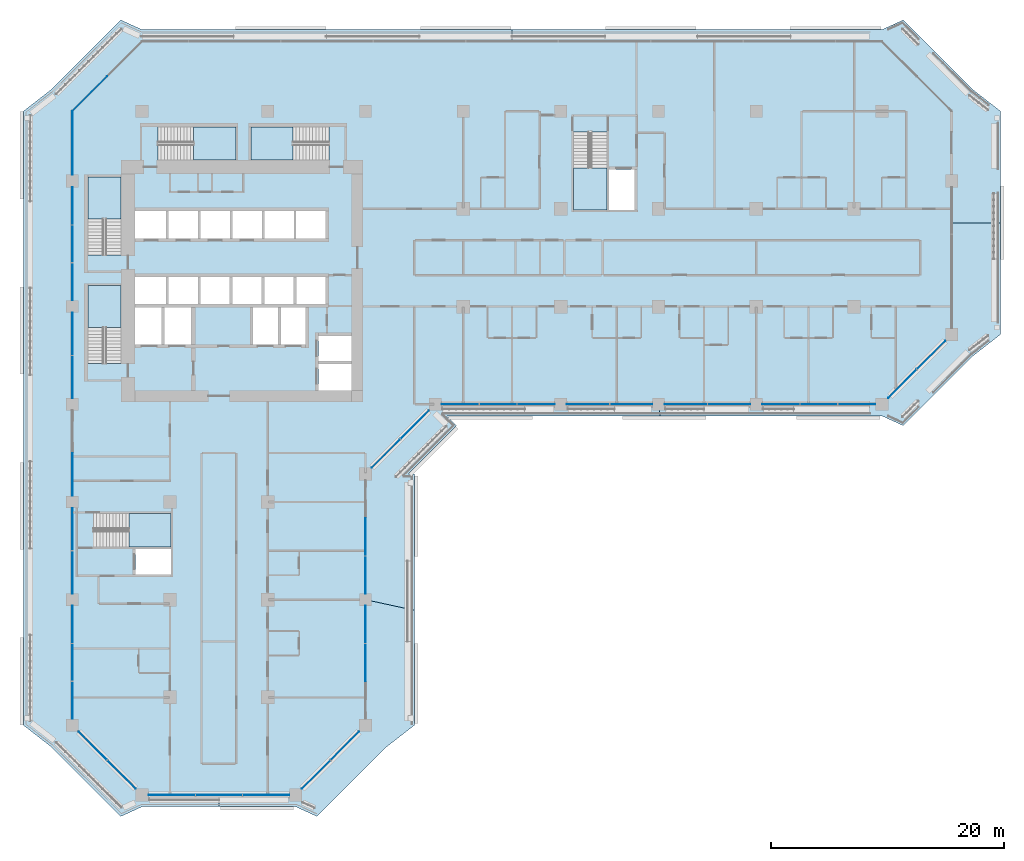
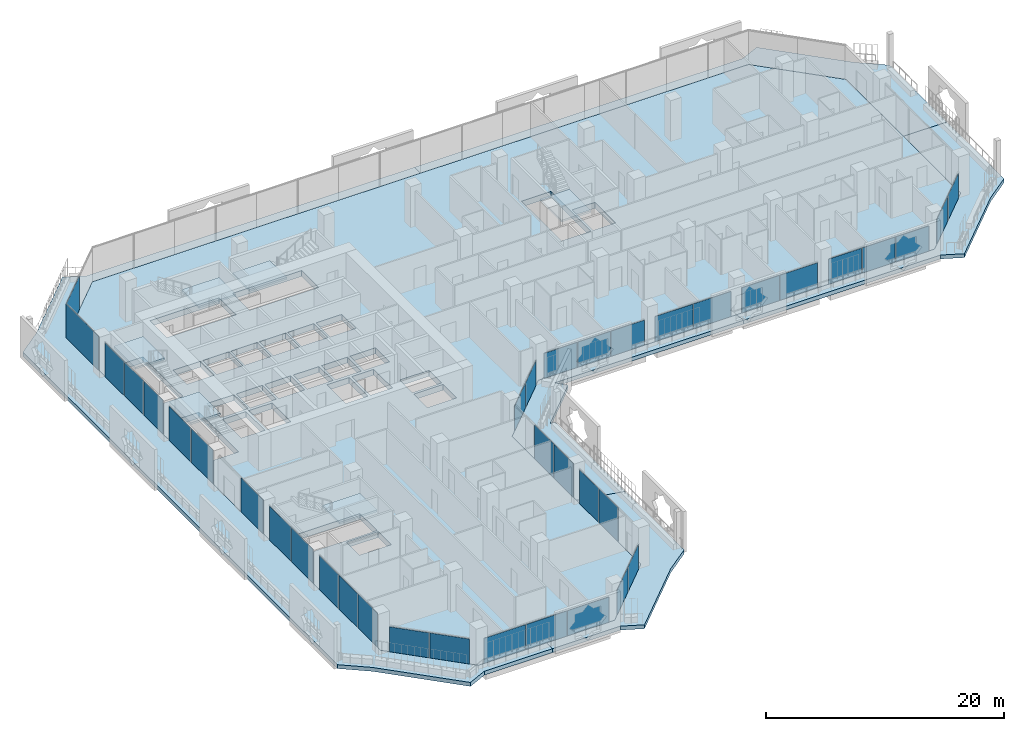
# One storey, part 10 of 26: 38 plates, 12 slabs, 15 elements without a shape of their own.
"""IFC4 building model written with IfcOpenShell, lengths in metres."""

from ifc_helpers import new_model, si_unit, direction, frame, origin, origin_2d, place, context, subcontext, project, spatial, polyline, rectangle, outline, extrude, material, layer, layer_set, type_object, element, aggregate, save


model = new_model("IFC4")

# Units and contexts
model_context = context("Model", 3, precision=1e-05, world=origin(), true_north=direction((0.0, 1.0)))
body_context = subcontext(model_context, "Body", "Model", "MODEL_VIEW")
ifc_project = project(units=[si_unit("LENGTHUNIT", "METRE"), si_unit("AREAUNIT", "SQUARE_METRE"), si_unit("VOLUMEUNIT", "CUBIC_METRE"), si_unit("PLANEANGLEUNIT", "RADIAN"), si_unit("MASSUNIT", "GRAM", prefix="KILO")], contexts=[model_context])

# Site, building, storey
site_placement = place(None, origin())
site = spatial("IfcSite", under=ifc_project, at=site_placement, CompositionType="ELEMENT")
building_placement = place(site_placement, origin())
building = spatial("IfcBuilding", under=site, at=building_placement, Name="Kawkab Arch Medical Tower", CompositionType="ELEMENT")
storey_placement = place(building_placement, frame((0.0, 0.0, 119.800048828125)))
storey = spatial("IfcBuildingStorey", under=building, at=storey_placement, Name="L27", CompositionType="ELEMENT", Elevation=119.800048828125)

# Curtain wall, plates
ifc_material_1 = material(Name="Bronze anodised aluminium curtain wall frame", Category="aluminium")
ifc_layer_1 = layer(ifc_material_1, 0.159912109375)
ifc_layer_set_1 = layer_set([ifc_layer_1], Name="Bronze anodised aluminium curtain wall frame")
curtain_wall_type_1 = type_object("IfcCurtainWallType", Name="CW1 ward curtain wall", PredefinedType="NOTDEFINED", material=ifc_layer_set_1)
placement_1 = place(storey_placement, origin())
curtain_wall_1 = element("IfcCurtainWall", 1, at=placement_1, inside=storey, type_object=curtain_wall_type_1, Name="CW1 Ward curtain wall R01", PredefinedType="NOTDEFINED")
ifc_material_2 = material(Name="Tinted insulating glass, bronze low-e coating", Category="glass")
ifc_layer_2 = layer(ifc_material_2, 0.031982421875)
ifc_layer_set_2 = layer_set([ifc_layer_2], Name="Tinted insulating glass, bronze low-e coating")
plate_type_1 = type_object("IfcPlateType", Name="CW1 glazing unit 32", PredefinedType="CURTAIN_PANEL", material=ifc_layer_set_2)
plate_1_placement = place(storey_placement, frame((0.0, -2.72509765625, 0.0), z_axis=(0.0, 0.0, 1.0), x_axis=(0.0, -1.0, 0.0)))
plate_1 = element("IfcPlate", 2, at=plate_1_placement, type_object=plate_type_1, Name="CW1 glazing unit 1.1", PredefinedType="CURTAIN_PANEL", context=body_context, shape_type="SweptSolid", body=[
    extrude(rectangle(XDim=5.449951171875, YDim=0.031982421875, at=origin_2d()), origin(), (0.0, 0.0, 1.0), 3.47998046875),
])
plate_2_placement = place(storey_placement, frame((0.0, -8.15576171875, 0.0), z_axis=(0.0, 0.0, 1.0), x_axis=(0.0, -1.0, 0.0)))
plate_2 = element("IfcPlate", 3, at=plate_2_placement, type_object=plate_type_1, Name="CW1 glazing unit 2.1", PredefinedType="CURTAIN_PANEL", context=body_context, shape_type="SweptSolid", body=[
    extrude(rectangle(XDim=3.211669921875, YDim=0.031982421875, at=origin_2d()), origin(), (0.0, 0.0, 1.0), 3.47998046875),
])
plate_3_placement = place(storey_placement, frame((0.0, -11.41259765625, 0.0), z_axis=(0.0, 0.0, 1.0), x_axis=(0.0, -1.0, 0.0)))
plate_3 = element("IfcPlate", 4, at=plate_3_placement, type_object=plate_type_1, Name="CW1 glazing unit 2.2", PredefinedType="CURTAIN_PANEL", context=body_context, shape_type="SweptSolid", body=[
    extrude(rectangle(XDim=3.181640625, YDim=0.031982421875, at=origin_2d()), origin(), (0.0, 0.0, 1.0), 3.47998046875),
])
plate_4_placement = place(storey_placement, frame((0.0, -14.669189453125, 0.0), z_axis=(0.0, 0.0, 1.0), x_axis=(0.0, -1.0, 0.0)))
plate_4 = element("IfcPlate", 5, at=plate_4_placement, type_object=plate_type_1, Name="CW1 glazing unit 2.3", PredefinedType="CURTAIN_PANEL", context=body_context, shape_type="SweptSolid", body=[
    extrude(rectangle(XDim=3.211669921875, YDim=0.031982421875, at=origin_2d()), origin(), (0.0, 0.0, 1.0), 3.47998046875),
])
plate_5_placement = place(storey_placement, frame((0.0, -19.1474609375, 0.0), z_axis=(0.0, 0.0, 1.0), x_axis=(0.0, -1.0, 0.0)))
plate_5 = element("IfcPlate", 6, at=plate_5_placement, type_object=plate_type_1, Name="CW1 glazing unit 3.1", PredefinedType="CURTAIN_PANEL", context=body_context, shape_type="SweptSolid", body=[
    extrude(rectangle(XDim=3.64501953125, YDim=0.031982421875, at=origin_2d()), origin(), (0.0, 0.0, 1.0), 3.47998046875),
])
plate_6_placement = place(storey_placement, frame((0.0, -22.8525390625, 0.0), z_axis=(0.0, 0.0, 1.0), x_axis=(0.0, -1.0, 0.0)))
plate_6 = element("IfcPlate", 7, at=plate_6_placement, type_object=plate_type_1, Name="CW1 glazing unit 3.2", PredefinedType="CURTAIN_PANEL", context=body_context, shape_type="SweptSolid", body=[
    extrude(rectangle(XDim=3.64501953125, YDim=0.031982421875, at=origin_2d()), origin(), (0.0, 0.0, 1.0), 3.47998046875),
])
plate_7_placement = place(storey_placement, frame((0.0, -31.237548828125, 0.0), z_axis=(0.0, 0.0, 1.0), x_axis=(0.0, -1.0, 0.0)))
plate_7 = element("IfcPlate", 8, at=plate_7_placement, type_object=plate_type_1, Name="CW1 glazing unit 4.2", PredefinedType="CURTAIN_PANEL", context=body_context, shape_type="SweptSolid", body=[
    extrude(rectangle(XDim=3.675048828125, YDim=0.031982421875, at=origin_2d()), origin(), (0.0, 0.0, 1.0), 3.47998046875),
])
plate_8_placement = place(storey_placement, frame((0.0, -35.947509765625, 0.0), z_axis=(0.0, 0.0, 1.0), x_axis=(0.0, -1.0, 0.0)))
plate_8 = element("IfcPlate", 9, at=plate_8_placement, type_object=plate_type_1, Name="CW1 glazing unit 5.1", PredefinedType="CURTAIN_PANEL", context=body_context, shape_type="SweptSolid", body=[
    extrude(rectangle(XDim=3.64501953125, YDim=0.031982421875, at=origin_2d()), origin(), (0.0, 0.0, 1.0), 3.47998046875),
])
plate_9_placement = place(storey_placement, frame((0.0, -39.652587890625, 0.0), z_axis=(0.0, 0.0, 1.0), x_axis=(0.0, -1.0, 0.0)))
plate_9 = element("IfcPlate", 10, at=plate_9_placement, type_object=plate_type_1, Name="CW1 glazing unit 5.2", PredefinedType="CURTAIN_PANEL", context=body_context, shape_type="SweptSolid", body=[
    extrude(rectangle(XDim=3.64501953125, YDim=0.031982421875, at=origin_2d()), origin(), (0.0, 0.0, 1.0), 3.47998046875),
])
plate_10_placement = place(storey_placement, frame((0.0, -44.130859375, 0.0), z_axis=(0.0, 0.0, 1.0), x_axis=(0.0, -1.0, 0.0)))
plate_10 = element("IfcPlate", 11, at=plate_10_placement, type_object=plate_type_1, Name="CW1 glazing unit 6.1", PredefinedType="CURTAIN_PANEL", context=body_context, shape_type="SweptSolid", body=[
    extrude(rectangle(XDim=3.211669921875, YDim=0.031982421875, at=origin_2d()), origin(), (0.0, 0.0, 1.0), 3.47998046875),
])
plate_11_placement = place(storey_placement, frame((0.0, -47.387451171875, 0.0), z_axis=(0.0, 0.0, 1.0), x_axis=(0.0, -1.0, 0.0)))
plate_11 = element("IfcPlate", 12, at=plate_11_placement, type_object=plate_type_1, Name="CW1 glazing unit 6.2", PredefinedType="CURTAIN_PANEL", context=body_context, shape_type="SweptSolid", body=[
    extrude(rectangle(XDim=3.181640625, YDim=0.031982421875, at=origin_2d()), origin(), (0.0, 0.0, 1.0), 3.47998046875),
])
plate_12_placement = place(storey_placement, frame((0.0, -50.644287109375, 0.0), z_axis=(0.0, 0.0, 1.0), x_axis=(0.0, -1.0, 0.0)))
plate_12 = element("IfcPlate", 13, at=plate_12_placement, type_object=plate_type_1, Name="CW1 glazing unit 6.3", PredefinedType="CURTAIN_PANEL", context=body_context, shape_type="SweptSolid", body=[
    extrude(rectangle(XDim=3.211669921875, YDim=0.031982421875, at=origin_2d()), origin(), (0.0, 0.0, 1.0), 3.47998046875),
])
aggregate(curtain_wall_1, [plate_1, plate_2, plate_3, plate_4, plate_5, plate_6, plate_7, plate_8, plate_9, plate_10, plate_11, plate_12])

curtain_wall_2 = element("IfcCurtainWall", 14, at=placement_1, inside=storey, type_object=curtain_wall_type_1, Name="CW1 Ward curtain wall R03", PredefinedType="NOTDEFINED")
plate_13_placement = place(storey_placement, frame((8.5517578125, -58.800048828125, 0.0), z_axis=(0.0, 0.0, 1.0), x_axis=(1.0, 0.0, 0.0)))
plate_13 = element("IfcPlate", 15, at=plate_13_placement, type_object=plate_type_1, Name="CW1 glazing unit 1.1", PredefinedType="CURTAIN_PANEL", context=body_context, shape_type="SweptSolid", body=[
    extrude(rectangle(XDim=4.00341796875, YDim=0.031982421875, at=origin_2d()), origin(), (0.0, 0.0, 1.0), 2.580078125),
])
plate_14_placement = place(storey_placement, frame((12.60009765625, -58.800048828125, 0.0), z_axis=(0.0, 0.0, 1.0), x_axis=(1.0, 0.0, 0.0)))
plate_14 = element("IfcPlate", 16, at=plate_14_placement, type_object=plate_type_1, Name="CW1 glazing unit 1.2", PredefinedType="CURTAIN_PANEL", context=body_context, shape_type="SweptSolid", body=[
    extrude(rectangle(XDim=3.973388671875, YDim=0.031982421875, at=origin_2d()), origin(), (0.0, 0.0, 1.0), 2.580078125),
])
plate_15_placement = place(storey_placement, frame((16.6484375, -58.800048828125, 0.0), z_axis=(0.0, 0.0, 1.0), x_axis=(1.0, 0.0, 0.0)))
plate_15 = element("IfcPlate", 17, at=plate_15_placement, type_object=plate_type_1, Name="CW1 glazing unit 1.3", PredefinedType="CURTAIN_PANEL", context=body_context, shape_type="SweptSolid", body=[
    extrude(rectangle(XDim=4.00341796875, YDim=0.031982421875, at=origin_2d()), origin(), (0.0, 0.0, 1.0), 2.580078125),
])
aggregate(curtain_wall_2, [plate_13, plate_14, plate_15])

curtain_wall_3 = element("IfcCurtainWall", 18, at=placement_1, inside=storey, type_object=curtain_wall_type_1, Name="CW1 Ward curtain wall R05", PredefinedType="NOTDEFINED")
plate_16_placement = place(storey_placement, frame((25.199951171875, -47.402587890625, 0.0), z_axis=(0.0, 0.0, 1.0), x_axis=(0.0, 1.0, 0.0)))
plate_16 = element("IfcPlate", 19, at=plate_16_placement, type_object=plate_type_1, Name="CW1 glazing unit 1.2", PredefinedType="CURTAIN_PANEL", context=body_context, shape_type="SweptSolid", body=[
    extrude(rectangle(XDim=3.211669921875, YDim=0.031982421875, at=origin_2d()), origin(), (0.0, 0.0, 1.0), 3.47998046875),
])
plate_17_placement = place(storey_placement, frame((25.199951171875, -44.130859375, 0.0), z_axis=(0.0, 0.0, 1.0), x_axis=(0.0, 1.0, 0.0)))
plate_17 = element("IfcPlate", 20, at=plate_17_placement, type_object=plate_type_1, Name="CW1 glazing unit 1.3", PredefinedType="CURTAIN_PANEL", context=body_context, shape_type="SweptSolid", body=[
    extrude(rectangle(XDim=3.211669921875, YDim=0.031982421875, at=origin_2d()), origin(), (0.0, 0.0, 1.0), 3.47998046875),
])
plate_18_placement = place(storey_placement, frame((25.199951171875, -39.869140625, 0.0), z_axis=(0.0, 0.0, 1.0), x_axis=(0.0, 1.0, 0.0)))
plate_18 = element("IfcPlate", 21, at=plate_18_placement, type_object=plate_type_1, Name="CW1 glazing unit 2.1", PredefinedType="CURTAIN_PANEL", context=body_context, shape_type="SweptSolid", body=[
    extrude(rectangle(XDim=3.211669921875, YDim=0.031982421875, at=origin_2d()), origin(), (0.0, 0.0, 1.0), 3.47998046875),
])
plate_19_placement = place(storey_placement, frame((25.199951171875, -36.597412109375, 0.0), z_axis=(0.0, 0.0, 1.0), x_axis=(0.0, 1.0, 0.0)))
plate_19 = element("IfcPlate", 22, at=plate_19_placement, type_object=plate_type_1, Name="CW1 glazing unit 2.2", PredefinedType="CURTAIN_PANEL", context=body_context, shape_type="SweptSolid", body=[
    extrude(rectangle(XDim=3.211669921875, YDim=0.031982421875, at=origin_2d()), origin(), (0.0, 0.0, 1.0), 3.47998046875),
])
aggregate(curtain_wall_3, [plate_16, plate_17, plate_18, plate_19])

curtain_wall_4 = element("IfcCurtainWall", 23, at=placement_1, inside=storey, type_object=curtain_wall_type_1, Name="CW1 Ward curtain wall R07", PredefinedType="NOTDEFINED")
plate_20_placement = place(storey_placement, frame((33.355712890625, -25.199951171875, 0.0), z_axis=(0.0, 0.0, 1.0), x_axis=(1.0, 0.0, 0.0)))
plate_20 = element("IfcPlate", 24, at=plate_20_placement, type_object=plate_type_1, Name="CW1 glazing unit 1.1", PredefinedType="CURTAIN_PANEL", context=body_context, shape_type="SweptSolid", body=[
    extrude(rectangle(XDim=3.211669921875, YDim=0.031982421875, at=origin_2d()), origin(), (0.0, 0.0, 1.0), 2.580078125),
])
plate_21_placement = place(storey_placement, frame((36.612548828125, -25.199951171875, 0.0), z_axis=(0.0, 0.0, 1.0), x_axis=(1.0, 0.0, 0.0)))
plate_21 = element("IfcPlate", 25, at=plate_21_placement, type_object=plate_type_1, Name="CW1 glazing unit 1.2", PredefinedType="CURTAIN_PANEL", context=body_context, shape_type="SweptSolid", body=[
    extrude(rectangle(XDim=3.181640625, YDim=0.031982421875, at=origin_2d()), origin(), (0.0, 0.0, 1.0), 2.580078125),
])
plate_22_placement = place(storey_placement, frame((39.869140625, -25.199951171875, 0.0), z_axis=(0.0, 0.0, 1.0), x_axis=(1.0, 0.0, 0.0)))
plate_22 = element("IfcPlate", 26, at=plate_22_placement, type_object=plate_type_1, Name="CW1 glazing unit 1.3", PredefinedType="CURTAIN_PANEL", context=body_context, shape_type="SweptSolid", body=[
    extrude(rectangle(XDim=3.211669921875, YDim=0.031982421875, at=origin_2d()), origin(), (0.0, 0.0, 1.0), 2.580078125),
])
plate_23_placement = place(storey_placement, frame((44.347412109375, -25.199951171875, 0.0), z_axis=(0.0, 0.0, 1.0), x_axis=(1.0, 0.0, 0.0)))
plate_23 = element("IfcPlate", 27, at=plate_23_placement, type_object=plate_type_1, Name="CW1 glazing unit 2.1", PredefinedType="CURTAIN_PANEL", context=body_context, shape_type="SweptSolid", body=[
    extrude(rectangle(XDim=3.64501953125, YDim=0.031982421875, at=origin_2d()), origin(), (0.0, 0.0, 1.0), 2.580078125),
])
plate_24_placement = place(storey_placement, frame((48.052490234375, -25.199951171875, 0.0), z_axis=(0.0, 0.0, 1.0), x_axis=(1.0, 0.0, 0.0)))
plate_24 = element("IfcPlate", 28, at=plate_24_placement, type_object=plate_type_1, Name="CW1 glazing unit 2.2", PredefinedType="CURTAIN_PANEL", context=body_context, shape_type="SweptSolid", body=[
    extrude(rectangle(XDim=3.64501953125, YDim=0.031982421875, at=origin_2d()), origin(), (0.0, 0.0, 1.0), 2.580078125),
])
plate_25_placement = place(storey_placement, frame((52.74755859375, -25.199951171875, 0.0), z_axis=(0.0, 0.0, 1.0), x_axis=(1.0, 0.0, 0.0)))
plate_25 = element("IfcPlate", 29, at=plate_25_placement, type_object=plate_type_1, Name="CW1 glazing unit 3.1", PredefinedType="CURTAIN_PANEL", context=body_context, shape_type="SweptSolid", body=[
    extrude(rectangle(XDim=3.64501953125, YDim=0.031982421875, at=origin_2d()), origin(), (0.0, 0.0, 1.0), 2.580078125),
])
plate_26_placement = place(storey_placement, frame((56.452392578125, -25.199951171875, 0.0), z_axis=(0.0, 0.0, 1.0), x_axis=(1.0, 0.0, 0.0)))
plate_26 = element("IfcPlate", 30, at=plate_26_placement, type_object=plate_type_1, Name="CW1 glazing unit 3.2", PredefinedType="CURTAIN_PANEL", context=body_context, shape_type="SweptSolid", body=[
    extrude(rectangle(XDim=3.64501953125, YDim=0.031982421875, at=origin_2d()), origin(), (0.0, 0.0, 1.0), 2.580078125),
])
plate_27_placement = place(storey_placement, frame((60.930908203125, -25.199951171875, 0.0), z_axis=(0.0, 0.0, 1.0), x_axis=(1.0, 0.0, 0.0)))
plate_27 = element("IfcPlate", 31, at=plate_27_placement, type_object=plate_type_1, Name="CW1 glazing unit 4.1", PredefinedType="CURTAIN_PANEL", context=body_context, shape_type="SweptSolid", body=[
    extrude(rectangle(XDim=3.211669921875, YDim=0.031982421875, at=origin_2d()), origin(), (0.0, 0.0, 1.0), 2.580078125),
])
plate_28_placement = place(storey_placement, frame((64.1875, -25.199951171875, 0.0), z_axis=(0.0, 0.0, 1.0), x_axis=(1.0, 0.0, 0.0)))
plate_28 = element("IfcPlate", 32, at=plate_28_placement, type_object=plate_type_1, Name="CW1 glazing unit 4.2", PredefinedType="CURTAIN_PANEL", context=body_context, shape_type="SweptSolid", body=[
    extrude(rectangle(XDim=3.181640625, YDim=0.031982421875, at=origin_2d()), origin(), (0.0, 0.0, 1.0), 2.580078125),
])
plate_29_placement = place(storey_placement, frame((67.444091796875, -25.199951171875, 0.0), z_axis=(0.0, 0.0, 1.0), x_axis=(1.0, 0.0, 0.0)))
plate_29 = element("IfcPlate", 33, at=plate_29_placement, type_object=plate_type_1, Name="CW1 glazing unit 4.3", PredefinedType="CURTAIN_PANEL", context=body_context, shape_type="SweptSolid", body=[
    extrude(rectangle(XDim=3.211669921875, YDim=0.031982421875, at=origin_2d()), origin(), (0.0, 0.0, 1.0), 2.580078125),
])
aggregate(curtain_wall_4, [plate_20, plate_21, plate_22, plate_23, plate_24, plate_25, plate_26, plate_27, plate_28, plate_29])

ifc_material_3 = material(Name="Bronze anodised aluminium curtain wall frame", Category="aluminium")
ifc_layer_3 = layer(ifc_material_3, 0.159912109375)
ifc_layer_set_3 = layer_set([ifc_layer_3], Name="Bronze anodised aluminium curtain wall frame")
curtain_wall_type_2 = type_object("IfcCurtainWallType", Name="CW2 chamfer curtain wall", PredefinedType="NOTDEFINED", material=ifc_layer_set_3)
curtain_wall_5 = element("IfcCurtainWall", 34, at=placement_1, inside=storey, type_object=curtain_wall_type_2, Name="CW2 Chamfer curtain wall R02", PredefinedType="NOTDEFINED")
ifc_material_4 = material(Name="Tinted insulating glass, bronze low-e coating", Category="glass")
ifc_layer_4 = layer(ifc_material_4, 0.031982421875)
ifc_layer_set_4 = layer_set([ifc_layer_4], Name="Tinted insulating glass, bronze low-e coating")
plate_type_2 = type_object("IfcPlateType", Name="CW2 glazing unit 32", PredefinedType="CURTAIN_PANEL", material=ifc_layer_set_4)
plate_30_placement = place(storey_placement, frame((1.764404296875, -54.564453125, 0.0), z_axis=(0.0, 0.0, 1.0), x_axis=(0.707106781187, -0.707106781187, 0.0)))
plate_30 = element("IfcPlate", 35, at=plate_30_placement, type_object=plate_type_2, Name="CW2 glazing unit 1.1", PredefinedType="CURTAIN_PANEL", context=body_context, shape_type="SweptSolid", body=[
    extrude(rectangle(XDim=3.434814453125, YDim=0.031982421875, at=origin_2d()), origin(), (0.0, 0.0, 1.0), 2.56005859375),
])
plate_31_placement = place(storey_placement, frame((4.235595703125, -57.03564453125, 0.0), z_axis=(0.0, 0.0, 1.0), x_axis=(0.707106781187, -0.707106781187, 0.0)))
plate_31 = element("IfcPlate", 36, at=plate_31_placement, type_object=plate_type_2, Name="CW2 glazing unit 1.2", PredefinedType="CURTAIN_PANEL", context=body_context, shape_type="SweptSolid", body=[
    extrude(rectangle(XDim=3.434814453125, YDim=0.031982421875, at=origin_2d()), origin(), (0.0, 0.0, 1.0), 2.56005859375),
])
aggregate(curtain_wall_5, [plate_30, plate_31])

curtain_wall_6 = element("IfcCurtainWall", 37, at=placement_1, inside=storey, type_object=curtain_wall_type_2, Name="CW2 Chamfer curtain wall R04", PredefinedType="NOTDEFINED")
plate_32_placement = place(storey_placement, frame((20.96435546875, -57.03564453125, 0.0), z_axis=(0.0, 0.0, 1.0), x_axis=(0.707106781187, 0.707106781187, 0.0)))
plate_32 = element("IfcPlate", 38, at=plate_32_placement, type_object=plate_type_2, Name="CW2 glazing unit 1.1", PredefinedType="CURTAIN_PANEL", context=body_context, shape_type="SweptSolid", body=[
    extrude(rectangle(XDim=3.434814453125, YDim=0.031982421875, at=origin_2d()), origin(), (0.0, 0.0, 1.0), 2.56005859375),
])
plate_33_placement = place(storey_placement, frame((23.435546875, -54.564453125, 0.0), z_axis=(0.0, 0.0, 1.0), x_axis=(0.707106781187, 0.707106781187, 0.0)))
plate_33 = element("IfcPlate", 39, at=plate_33_placement, type_object=plate_type_2, Name="CW2 glazing unit 1.2", PredefinedType="CURTAIN_PANEL", context=body_context, shape_type="SweptSolid", body=[
    extrude(rectangle(XDim=3.434814453125, YDim=0.031982421875, at=origin_2d()), origin(), (0.0, 0.0, 1.0), 2.56005859375),
])
aggregate(curtain_wall_6, [plate_32, plate_33])

curtain_wall_7 = element("IfcCurtainWall", 40, at=placement_1, inside=storey, type_object=curtain_wall_type_2, Name="CW2 Chamfer curtain wall R06", PredefinedType="NOTDEFINED")
plate_34_placement = place(storey_placement, frame((26.96435546875, -29.435546875, 0.0), z_axis=(0.0, 0.0, 1.0), x_axis=(0.707106781187, 0.707106781187, 0.0)))
plate_34 = element("IfcPlate", 41, at=plate_34_placement, type_object=plate_type_2, Name="CW2 glazing unit 1.1", PredefinedType="CURTAIN_PANEL", context=body_context, shape_type="SweptSolid", body=[
    extrude(rectangle(XDim=3.434814453125, YDim=0.031982421875, at=origin_2d()), origin(), (0.0, 0.0, 1.0), 2.56005859375),
])
plate_35_placement = place(storey_placement, frame((29.435546875, -26.96435546875, 0.0), z_axis=(0.0, 0.0, 1.0), x_axis=(0.707106781187, 0.707106781187, 0.0)))
plate_35 = element("IfcPlate", 42, at=plate_35_placement, type_object=plate_type_2, Name="CW2 glazing unit 1.2", PredefinedType="CURTAIN_PANEL", context=body_context, shape_type="SweptSolid", body=[
    extrude(rectangle(XDim=3.434814453125, YDim=0.031982421875, at=origin_2d()), origin(), (0.0, 0.0, 1.0), 2.56005859375),
])
aggregate(curtain_wall_7, [plate_34, plate_35])

curtain_wall_8 = element("IfcCurtainWall", 43, at=placement_1, inside=storey, type_object=curtain_wall_type_2, Name="CW2 Chamfer curtain wall R08", PredefinedType="NOTDEFINED")
plate_36_placement = place(storey_placement, frame((71.364501953125, -23.435546875, 0.0), z_axis=(0.0, 0.0, 1.0), x_axis=(0.707106781187, 0.707106781187, 0.0)))
plate_36 = element("IfcPlate", 44, at=plate_36_placement, type_object=plate_type_2, Name="CW2 glazing unit 1.1", PredefinedType="CURTAIN_PANEL", context=body_context, shape_type="SweptSolid", body=[
    extrude(rectangle(XDim=3.434814453125, YDim=0.031982421875, at=origin_2d()), origin(), (0.0, 0.0, 1.0), 2.56005859375),
])
plate_37_placement = place(storey_placement, frame((73.835693359375, -20.96435546875, 0.0), z_axis=(0.0, 0.0, 1.0), x_axis=(0.707106781187, 0.707106781187, 0.0)))
plate_37 = element("IfcPlate", 45, at=plate_37_placement, type_object=plate_type_2, Name="CW2 glazing unit 1.2", PredefinedType="CURTAIN_PANEL", context=body_context, shape_type="SweptSolid", body=[
    extrude(rectangle(XDim=3.434814453125, YDim=0.031982421875, at=origin_2d()), origin(), (0.0, 0.0, 1.0), 2.56005859375),
])
aggregate(curtain_wall_8, [plate_36, plate_37])

# Curtain wall, plate
curtain_wall_9 = element("IfcCurtainWall", 46, at=placement_1, inside=storey, type_object=curtain_wall_type_2, Name="CW2 Chamfer curtain wall R12", PredefinedType="NOTDEFINED")
plate_38_placement = place(storey_placement, frame((1.5, 1.5, 0.0), z_axis=(0.0, 0.0, 1.0), x_axis=(-0.707106781187, -0.707106781187, 0.0)))
plate_38 = element("IfcPlate", 47, at=plate_38_placement, type_object=plate_type_2, Name="CW2 glazing unit 2.1", PredefinedType="CURTAIN_PANEL", context=body_context, shape_type="SweptSolid", body=[
    extrude(rectangle(XDim=4.24267578125, YDim=0.031982421875, at=origin_2d()), origin(), (0.0, 0.0, 1.0), 3.4599609375),
])
aggregate(curtain_wall_9, [plate_38])

# Stair, slab
ifc_material_5 = material(Name="Concrete C40/50", Category="concrete")
stair_type = type_object("IfcStairType", Name="Exit stair 1350", PredefinedType="HALF_TURN_STAIR", material=ifc_material_5)
stair_1 = element("IfcStair", 48, at=placement_1, inside=storey, type_object=stair_type, Name="L27 Exit stair ST1", PredefinedType="HALF_TURN_STAIR")
ifc_material_6 = material(Name="Concrete C40/50", Category="concrete")
ifc_layer_5 = layer(ifc_material_6, 0.199951171875)
ifc_layer_set_5 = layer_set([ifc_layer_5], Name="Concrete C40/50")
slab_type_1 = type_object("IfcSlabType", Name="Exit stair landing 200", PredefinedType="LANDING", material=ifc_layer_set_5)
placement_2 = place(storey_placement, frame((0.0, 0.0, 1.89990234375)))
slab_1 = element("IfcSlab", 49, at=placement_2, type_object=slab_type_1, Name="ST1 landing 1", PredefinedType="LANDING", context=body_context, shape_type="SweptSolid", body=[
    extrude(outline(polyline([(4.199951171875, -9.27001953125), (4.199951171875, -5.64990234375), (1.35009765625, -5.64990234375), (1.35009765625, -9.27001953125), (4.199951171875, -9.27001953125)])), origin(), (0.0, 0.0, 1.0), 0.199951171875),
])
aggregate(stair_1, [slab_1])

stair_2 = element("IfcStair", 50, at=placement_1, inside=storey, type_object=stair_type, Name="L27 Exit stair ST2", PredefinedType="HALF_TURN_STAIR")
slab_2 = element("IfcSlab", 51, at=placement_2, type_object=slab_type_1, Name="ST2 landing 1", PredefinedType="LANDING", context=body_context, shape_type="SweptSolid", body=[
    extrude(outline(polyline([(4.199951171875, -18.6201171875), (4.199951171875, -15.0), (1.35009765625, -15.0), (1.35009765625, -18.6201171875), (4.199951171875, -18.6201171875)])), origin(), (0.0, 0.0, 1.0), 0.199951171875),
])
aggregate(stair_2, [slab_2])

stair_3 = element("IfcStair", 52, at=placement_1, inside=storey, type_object=stair_type, Name="L27 Exit stair ST3", PredefinedType="HALF_TURN_STAIR")
slab_3 = element("IfcSlab", 53, at=placement_2, type_object=slab_type_1, Name="ST3 landing 1", PredefinedType="LANDING", context=body_context, shape_type="SweptSolid", body=[
    extrude(outline(polyline([(10.429931640625, -4.199951171875), (14.050048828125, -4.199951171875), (14.050048828125, -1.35009765625), (10.429931640625, -1.35009765625), (10.429931640625, -4.199951171875)])), origin(), (0.0, 0.0, 1.0), 0.199951171875),
])
aggregate(stair_3, [slab_3])

stair_4 = element("IfcStair", 54, at=placement_1, inside=storey, type_object=stair_type, Name="L27 Exit stair ST4", PredefinedType="HALF_TURN_STAIR")
slab_4 = element("IfcSlab", 55, at=placement_2, type_object=slab_type_1, Name="ST4 landing 1", PredefinedType="LANDING", context=body_context, shape_type="SweptSolid", body=[
    extrude(outline(polyline([(18.969970703125, -1.35009765625), (15.35009765625, -1.35009765625), (15.35009765625, -4.199951171875), (18.969970703125, -4.199951171875), (18.969970703125, -1.35009765625)])), origin(), (0.0, 0.0, 1.0), 0.199951171875),
])
aggregate(stair_4, [slab_4])

stair_5 = element("IfcStair", 56, at=placement_1, inside=storey, type_object=stair_type, Name="L27 Exit stair ST5", PredefinedType="HALF_TURN_STAIR")
slab_5 = element("IfcSlab", 57, at=placement_2, type_object=slab_type_1, Name="ST5 landing 1", PredefinedType="LANDING", context=body_context, shape_type="SweptSolid", body=[
    extrude(outline(polyline([(43.10009765625, -4.8798828125), (43.10009765625, -8.5), (45.949951171875, -8.5), (45.949951171875, -4.8798828125), (43.10009765625, -4.8798828125)])), origin(), (0.0, 0.0, 1.0), 0.199951171875),
])
aggregate(stair_5, [slab_5])

stair_6 = element("IfcStair", 58, at=placement_1, inside=storey, type_object=stair_type, Name="L27 Exit stair ST6", PredefinedType="HALF_TURN_STAIR")
slab_6 = element("IfcSlab", 59, at=placement_2, type_object=slab_type_1, Name="ST6 landing 1", PredefinedType="LANDING", context=body_context, shape_type="SweptSolid", body=[
    extrude(outline(polyline([(4.8798828125, -37.449951171875), (8.5, -37.449951171875), (8.5, -34.60009765625), (4.8798828125, -34.60009765625), (4.8798828125, -37.449951171875)])), origin(), (0.0, 0.0, 1.0), 0.199951171875),
])
aggregate(stair_6, [slab_6])

# Slabs
ifc_material_7 = material(Name="Concrete C45/55", Category="concrete")
ifc_layer_6 = layer(ifc_material_7, 0.60009765625)
ifc_layer_set_6 = layer_set([ifc_layer_6], Name="Concrete C45/55")
slab_type_2 = type_object("IfcSlabType", Name="Flat plate 600 C45/55", PredefinedType="FLOOR", material=ifc_layer_set_6)
slab_7_placement = place(storey_placement, frame((0.0, 0.0, -0.60009765625)))
element("IfcSlab", 60, at=slab_7_placement, inside=storey, type_object=slab_type_2, Name="Floor slab L27", PredefinedType="FLOOR", context=body_context, shape_type="SweptSolid", body=[
    extrude(outline(polyline([(6.0, 6.0), (69.60009765625, 6.0), (75.60009765625, 0.0), (75.60009765625, -19.199951171875), (69.60009765625, -25.199951171875), (31.199951171875, -25.199951171875), (25.199951171875, -31.199951171875), (25.199951171875, -52.800048828125), (19.199951171875, -58.800048828125), (6.0, -58.800048828125), (0.0, -52.800048828125), (0.0, 0.0), (6.0, 6.0)]), holes=[polyline([(5.425048828125, -37.64990234375), (5.425048828125, -39.85009765625), (8.5, -39.85009765625), (8.5, -37.64990234375), (5.425048828125, -37.64990234375)]), polyline([(1.800048828125, -37.449951171875), (8.5, -37.449951171875), (8.5, -34.60009765625), (1.800048828125, -34.60009765625), (1.800048828125, -37.449951171875)]), polyline([(5.39990234375, -16.89990234375), (5.39990234375, -20.050048828125), (7.675048828125, -20.050048828125), (7.675048828125, -16.89990234375), (5.39990234375, -16.89990234375)]), polyline([(10.199951171875, -16.89990234375), (7.925048828125, -16.89990234375), (7.925048828125, -20.050048828125), (10.199951171875, -20.050048828125), (10.199951171875, -16.89990234375)]), polyline([(4.199951171875, -21.699951171875), (4.199951171875, -15.0), (1.35009765625, -15.0), (1.35009765625, -21.699951171875), (4.199951171875, -21.699951171875)]), polyline([(5.39990234375, -14.25), (5.39990234375, -16.60009765625), (8.050048828125, -16.60009765625), (8.050048828125, -14.25), (5.39990234375, -14.25)]), polyline([(10.800048828125, -16.60009765625), (10.800048828125, -14.25), (8.25, -14.25), (8.25, -16.60009765625), (10.800048828125, -16.60009765625)]), polyline([(13.52490234375, -14.25), (11.0, -14.25), (11.0, -16.60009765625), (13.52490234375, -16.60009765625), (13.52490234375, -14.25)]), polyline([(5.39990234375, -8.60009765625), (5.39990234375, -10.949951171875), (8.050048828125, -10.949951171875), (8.050048828125, -8.60009765625), (5.39990234375, -8.60009765625)]), polyline([(10.800048828125, -10.949951171875), (10.800048828125, -8.60009765625), (8.25, -8.60009765625), (8.25, -10.949951171875), (10.800048828125, -10.949951171875)]), polyline([(11.0, -8.60009765625), (11.0, -10.949951171875), (13.550048828125, -10.949951171875), (13.550048828125, -8.60009765625), (11.0, -8.60009765625)]), polyline([(4.199951171875, -12.35009765625), (4.199951171875, -5.64990234375), (1.35009765625, -5.64990234375), (1.35009765625, -12.35009765625), (4.199951171875, -12.35009765625)]), polyline([(7.35009765625, -4.199951171875), (14.050048828125, -4.199951171875), (14.050048828125, -1.35009765625), (7.35009765625, -1.35009765625), (7.35009765625, -4.199951171875)]), polyline([(24.0, -21.72509765625), (21.14990234375, -21.72509765625), (21.14990234375, -24.0), (24.0, -24.0), (24.0, -21.72509765625)]), polyline([(24.0, -21.47509765625), (24.0, -19.35009765625), (21.14990234375, -19.35009765625), (21.14990234375, -21.47509765625), (24.0, -21.47509765625)]), polyline([(17.675048828125, -16.89990234375), (15.52490234375, -16.89990234375), (15.52490234375, -20.050048828125), (17.675048828125, -20.050048828125), (17.675048828125, -16.89990234375)]), polyline([(17.925048828125, -16.89990234375), (17.925048828125, -20.050048828125), (20.050048828125, -20.050048828125), (20.050048828125, -16.89990234375), (17.925048828125, -16.89990234375)]), polyline([(16.27490234375, -16.60009765625), (16.27490234375, -14.25), (13.77490234375, -14.25), (13.77490234375, -16.60009765625), (16.27490234375, -16.60009765625)]), polyline([(19.02490234375, -16.60009765625), (19.02490234375, -14.25), (16.52490234375, -14.25), (16.52490234375, -16.60009765625), (19.02490234375, -16.60009765625)]), polyline([(19.27490234375, -14.25), (19.27490234375, -16.60009765625), (21.75, -16.60009765625), (21.75, -14.25), (19.27490234375, -14.25)]), polyline([(16.300048828125, -8.60009765625), (13.75, -8.60009765625), (13.75, -10.949951171875), (16.300048828125, -10.949951171875), (16.300048828125, -8.60009765625)]), polyline([(19.050048828125, -8.60009765625), (16.5, -8.60009765625), (16.5, -10.949951171875), (19.050048828125, -10.949951171875), (19.050048828125, -8.60009765625)]), polyline([(19.25, -8.60009765625), (19.25, -10.949951171875), (21.75, -10.949951171875), (21.75, -8.60009765625), (19.25, -8.60009765625)]), polyline([(46.14990234375, -5.02490234375), (46.14990234375, -8.5), (48.35009765625, -8.5), (48.35009765625, -5.02490234375), (46.14990234375, -5.02490234375)]), polyline([(43.10009765625, -1.800048828125), (43.10009765625, -8.5), (45.949951171875, -8.5), (45.949951171875, -1.800048828125), (43.10009765625, -1.800048828125)]), polyline([(22.050048828125, -1.35009765625), (15.35009765625, -1.35009765625), (15.35009765625, -4.199951171875), (22.050048828125, -4.199951171875), (22.050048828125, -1.35009765625)])]), origin(), (0.0, 0.0, 1.0), 0.60009765625),
])
ifc_material_8 = material(Name="Concrete C40/50", Category="concrete")
ifc_layer_7 = layer(ifc_material_8, 0.39990234375)
ifc_layer_set_7 = layer_set([ifc_layer_7], Name="Concrete C40/50")
slab_type_3 = type_object("IfcSlabType", Name="Loggia slab 400", PredefinedType="FLOOR", material=ifc_layer_set_7)
placement_3 = place(storey_placement, frame((0.0, 0.0, -0.400146484375)))
element("IfcSlab", 61, at=placement_3, inside=storey, type_object=slab_type_3, Name="Loggia slab L27.1", PredefinedType="FLOOR", context=body_context, shape_type="SweptSolid", body=[
    extrude(outline(polyline([(19.199951171875, -59.800048828125), (12.60009765625, -59.800048828125), (12.60009765625, -58.800048828125), (19.199951171875, -58.800048828125), (25.199951171875, -52.800048828125), (25.199951171875, -42.0), (29.39990234375, -42.9130859375), (29.39990234375, -52.800048828125), (27.0380859375, -54.637939453125), (21.0380859375, -60.637939453125), (19.199951171875, -59.800048828125)])), origin(), (0.0, 0.0, 1.0), 0.400146484375),
])
element("IfcSlab", 62, at=placement_3, inside=storey, type_object=slab_type_3, Name="Loggia slab L27.2", PredefinedType="FLOOR", context=body_context, shape_type="SweptSolid", body=[
    extrude(outline(polyline([(33.037109375, -27.0380859375), (28.8759765625, -31.199951171875), (29.39990234375, -31.199951171875), (29.39990234375, -42.9130859375), (25.199951171875, -42.0), (25.199951171875, -31.199951171875), (31.199951171875, -25.199951171875), (50.39990234375, -25.199951171875), (50.534912109375, -26.199951171875), (32.198974609375, -26.199951171875), (33.037109375, -27.0380859375)])), origin(), (0.0, 0.0, 1.0), 0.400146484375),
])
element("IfcSlab", 63, at=placement_3, inside=storey, type_object=slab_type_3, Name="Loggia slab L27.3", PredefinedType="FLOOR", context=body_context, shape_type="SweptSolid", body=[
    extrude(outline(polyline([(-4.199951171875, 0.0), (-1.837890625, 1.837890625), (4.162109375, 7.837890625), (6.0, 7.0), (37.800048828125, 7.0), (37.800048828125, 6.0), (6.0, 6.0), (0.0, 0.0), (-0.0009765625, 0.0), (-0.0009765625, -52.800048828125), (0.0, -52.800048828125), (6.0, -58.800048828125), (12.60009765625, -58.800048828125), (12.60009765625, -59.800048828125), (6.0, -59.800048828125), (4.162109375, -60.637939453125), (-1.837890625, -54.637939453125), (-4.199951171875, -52.800048828125), (-4.199951171875, 0.0)])), origin(), (0.0, 0.0, 1.0), 0.400146484375),
])
element("IfcSlab", 64, at=placement_3, inside=storey, type_object=slab_type_3, Name="Loggia slab L27.4", PredefinedType="FLOOR", context=body_context, shape_type="SweptSolid", body=[
    extrude(outline(polyline([(77.43798828125, -21.0380859375), (71.43798828125, -27.0380859375), (69.60009765625, -26.199951171875), (50.534912109375, -26.199951171875), (50.39990234375, -25.199951171875), (69.60009765625, -25.199951171875), (75.60009765625, -19.199951171875), (75.60009765625, -9.60009765625), (79.800048828125, -9.60009765625), (79.800048828125, -19.199951171875), (77.43798828125, -21.0380859375)])), origin(), (0.0, 0.0, 1.0), 0.400146484375),
])
element("IfcSlab", 65, at=placement_3, inside=storey, type_object=slab_type_3, Name="Loggia slab L27.5", PredefinedType="FLOOR", context=body_context, shape_type="SweptSolid", body=[
    extrude(outline(polyline([(71.43798828125, 7.837890625), (77.43798828125, 1.837890625), (79.800048828125, 0.0), (79.800048828125, -9.60009765625), (75.60009765625, -9.60009765625), (75.60009765625, 0.0), (69.60009765625, 6.0), (37.800048828125, 6.0), (37.800048828125, 7.0), (69.60009765625, 7.0), (71.43798828125, 7.837890625)])), origin(), (0.0, 0.0, 1.0), 0.400146484375),
])

save(model, "model.ifc")
